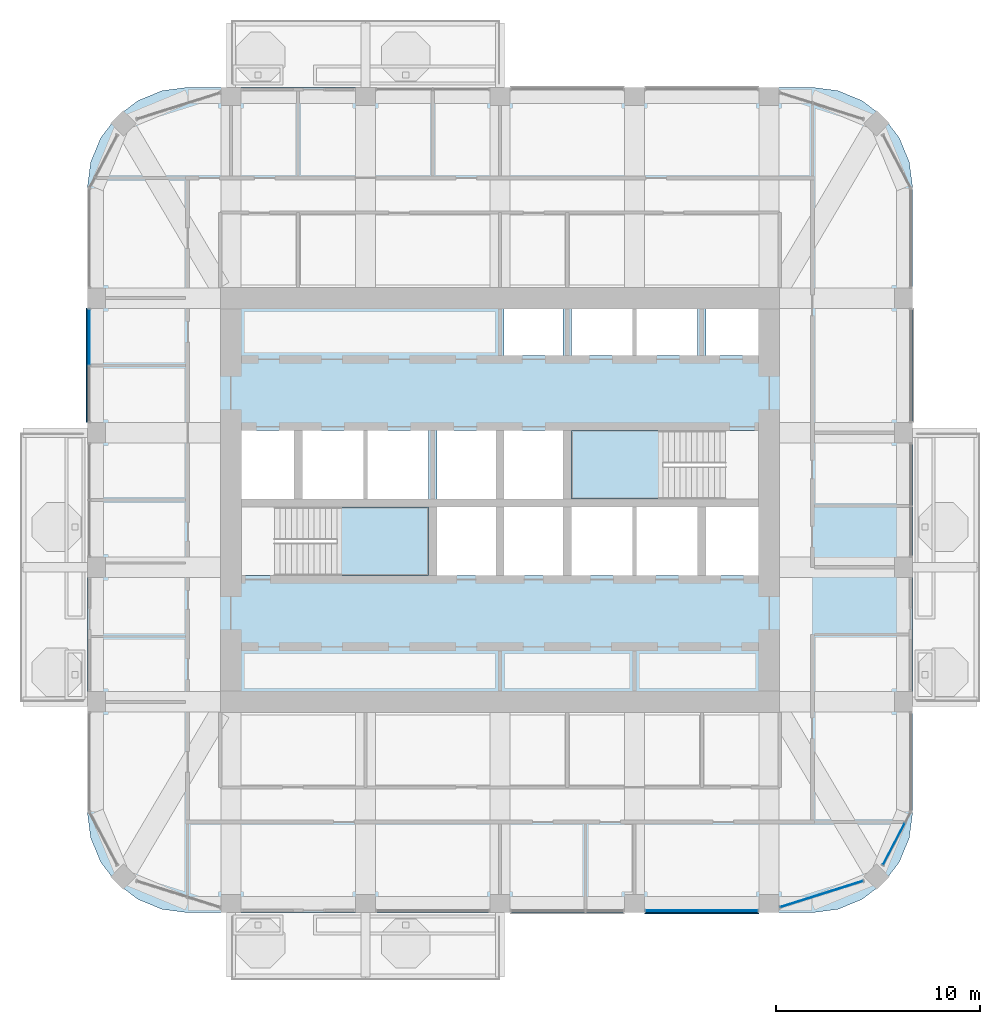
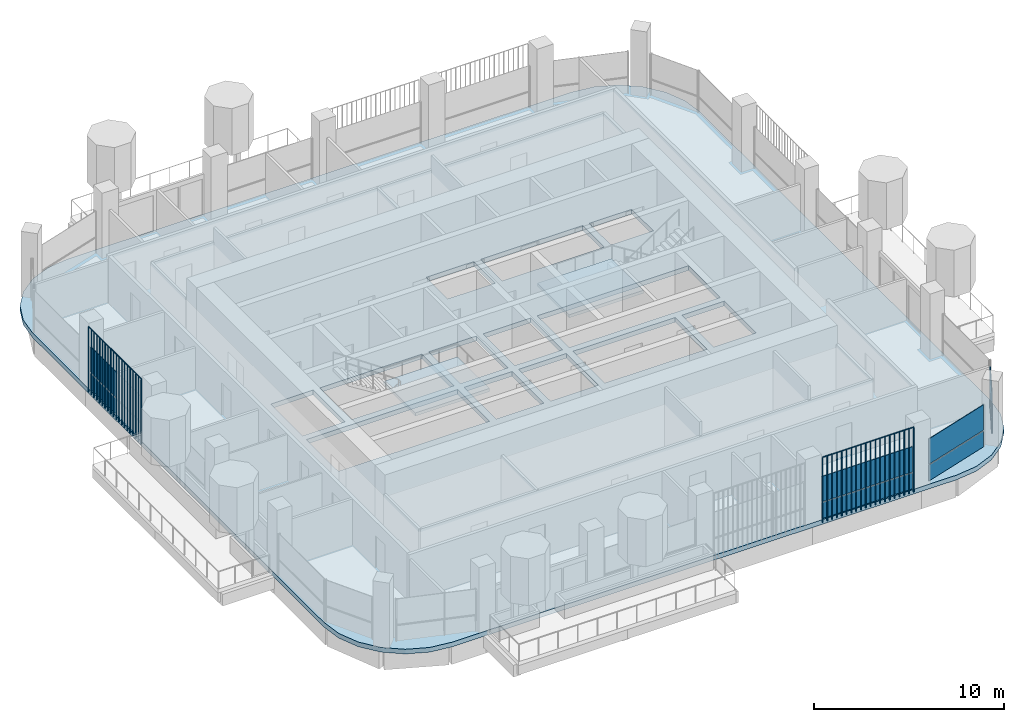
# One storey, part 8 of 18: 10 plates, 3 slabs, 6 elements without a shape of their own.
"""IFC4 building model written with IfcOpenShell, lengths in metres."""

from ifc_helpers import new_model, si_unit, direction, frame, origin, origin_2d, place, context, subcontext, project, spatial, polyline, rectangle, outline, extrude, material, layer, layer_set, type_object, element, aggregate, save


model = new_model("IFC4")

# Units and contexts
model_context = context("Model", 3, precision=1e-05, world=origin(), true_north=direction((0.0, 1.0)))
body_context = subcontext(model_context, "Body", "Model", "MODEL_VIEW")
ifc_project = project(units=[si_unit("LENGTHUNIT", "METRE"), si_unit("AREAUNIT", "SQUARE_METRE"), si_unit("VOLUMEUNIT", "CUBIC_METRE"), si_unit("PLANEANGLEUNIT", "RADIAN"), si_unit("MASSUNIT", "GRAM", prefix="KILO")], contexts=[model_context])

# Site, building, storey
site_placement = place(None, origin())
site = spatial("IfcSite", under=ifc_project, at=site_placement, CompositionType="ELEMENT")
building_placement = place(site_placement, origin())
building = spatial("IfcBuilding", under=site, at=building_placement, Name="Cobogo Forest Laboratory Tower", CompositionType="ELEMENT")
storey_placement = place(building_placement, frame((0.0, 0.0, 271.199951171875)))
storey = spatial("IfcBuildingStorey", under=building, at=storey_placement, Name="L62", CompositionType="ELEMENT", Elevation=271.199951171875)

# Slab
ifc_material_1 = material(Name="Concrete HA-40 (C40/50)", Category="concrete")
ifc_layer_1 = layer(ifc_material_1, 0.300048828125)
ifc_layer_set_1 = layer_set([ifc_layer_1], Name="Floor slab 300")
slab_type_1 = type_object("IfcSlabType", Name="Floor slab 300", PredefinedType="FLOOR", material=ifc_layer_set_1)
slab_1_placement = place(storey_placement, frame((0.0, 0.0, -0.300048828125)))
element("IfcSlab", 1, at=slab_1_placement, inside=storey, type_object=slab_type_1, Name="L62 floor slab", PredefinedType="FLOOR", context=body_context, shape_type="SweptSolid", body=[
    extrude(outline(polyline([(41.699951171875, 2.85009765625), (42.981201171875, 3.0185546875), (44.175048828125, 3.51318359375), (45.2001953125, 4.2998046875), (45.98681640625, 5.324951171875), (46.4814453125, 6.518798828125), (46.64990234375, 7.800048828125), (46.64990234375, 38.39990234375), (46.4814453125, 39.68115234375), (45.98681640625, 40.875), (45.2001953125, 41.900146484375), (44.175048828125, 42.686767578125), (42.981201171875, 43.181396484375), (41.699951171875, 43.35009765625), (11.10009765625, 43.35009765625), (9.81884765625, 43.181396484375), (8.625, 42.686767578125), (7.599853515625, 41.900146484375), (6.813232421875, 40.875), (6.318603515625, 39.68115234375), (6.14990234375, 38.39990234375), (6.14990234375, 7.800048828125), (6.318603515625, 6.518798828125), (6.813232421875, 5.324951171875), (7.599853515625, 4.2998046875), (8.625, 3.51318359375), (9.81884765625, 3.0185546875), (11.10009765625, 2.85009765625), (41.699951171875, 2.85009765625)]), holes=[polyline([(22.89990234375, 19.39990234375), (13.72509765625, 19.39990234375), (13.72509765625, 22.75), (22.89990234375, 22.75), (22.89990234375, 19.39990234375)]), polyline([(26.199951171875, 19.39990234375), (23.300048828125, 19.39990234375), (23.300048828125, 22.75), (26.199951171875, 22.75), (26.199951171875, 19.39990234375)]), polyline([(29.5, 19.39990234375), (26.60009765625, 19.39990234375), (26.60009765625, 22.75), (29.5, 22.75), (29.5, 19.39990234375)]), polyline([(36.10009765625, 22.75), (36.10009765625, 19.39990234375), (29.89990234375, 19.39990234375), (29.89990234375, 22.75), (36.10009765625, 22.75)]), polyline([(39.074951171875, 19.39990234375), (36.5, 19.39990234375), (36.5, 22.75), (39.074951171875, 22.75), (39.074951171875, 19.39990234375)]), polyline([(16.300048828125, 23.14990234375), (13.72509765625, 23.14990234375), (13.72509765625, 26.5), (16.300048828125, 26.5), (16.300048828125, 23.14990234375)]), polyline([(22.89990234375, 26.5), (22.89990234375, 23.14990234375), (16.699951171875, 23.14990234375), (16.699951171875, 26.5), (22.89990234375, 26.5)]), polyline([(26.199951171875, 23.14990234375), (23.300048828125, 23.14990234375), (23.300048828125, 26.5), (26.199951171875, 26.5), (26.199951171875, 23.14990234375)]), polyline([(29.5, 23.14990234375), (26.60009765625, 23.14990234375), (26.60009765625, 26.5), (29.5, 26.5), (29.5, 23.14990234375)]), polyline([(39.074951171875, 23.14990234375), (29.89990234375, 23.14990234375), (29.89990234375, 26.5), (39.074951171875, 26.5), (39.074951171875, 23.14990234375)]), polyline([(29.5, 30.199951171875), (26.60009765625, 30.199951171875), (26.60009765625, 32.47509765625), (29.5, 32.47509765625), (29.5, 30.199951171875)]), polyline([(36.10009765625, 32.47509765625), (36.10009765625, 30.199951171875), (29.89990234375, 30.199951171875), (29.89990234375, 32.47509765625), (36.10009765625, 32.47509765625)]), polyline([(39.074951171875, 30.199951171875), (36.5, 30.199951171875), (36.5, 32.47509765625), (39.074951171875, 32.47509765625), (39.074951171875, 30.199951171875)])]), origin(), (0.0, 0.0, 1.0), 0.300048828125),
])

# Curtain wall, plates
ifc_material_2 = material(Name="Aluminium curtain wall", Category="aluminium")
curtain_wall_type = type_object("IfcCurtainWallType", Name="CW-2 unitised curtain wall, solar control glazing, laboratory floors zones C and D", PredefinedType="USERDEFINED", material=ifc_material_2)
curtain_wall_1_placement = place(storey_placement, origin())
curtain_wall_1 = element("IfcCurtainWall", 2, at=curtain_wall_1_placement, inside=storey, type_object=curtain_wall_type, Name="Curtain wall 04 L62", ObjectType="UNITISED CURTAIN WALL", PredefinedType="USERDEFINED")
ifc_material_3 = material(Name="Solar control insulated glass", Category="glass")
ifc_layer_2 = layer(ifc_material_3, 0.031982421875)
ifc_layer_set_2 = layer_set([ifc_layer_2], Name="GP-2 solar control glass unit 32")
plate_type_1 = type_object("IfcPlateType", Name="GP-2 solar control glass unit 32", PredefinedType="CURTAIN_PANEL", material=ifc_layer_set_2)
plate_1_placement = place(storey_placement, frame((36.300048828125, 2.949951171875, 0.0), z_axis=(0.0, 0.0, 1.0), x_axis=(1.0, 0.0, 0.0)))
plate_1 = element("IfcPlate", 3, at=plate_1_placement, type_object=plate_type_1, Name="CW-2 panel 1.1", PredefinedType="CURTAIN_PANEL", context=body_context, shape_type="SweptSolid", body=[
    extrude(rectangle(XDim=5.47998046875, YDim=0.031982421875, at=origin_2d()), origin(), (0.0, 0.0, 1.0), 1.02001953125),
])
plate_2_placement = place(storey_placement, frame((36.300048828125, 2.949951171875, 1.080078125), z_axis=(0.0, 0.0, 1.0), x_axis=(1.0, 0.0, 0.0)))
plate_2 = element("IfcPlate", 4, at=plate_2_placement, type_object=plate_type_1, Name="CW-2 panel 1.2", PredefinedType="CURTAIN_PANEL", context=body_context, shape_type="SweptSolid", body=[
    extrude(rectangle(XDim=5.47998046875, YDim=0.031982421875, at=origin_2d()), origin(), (0.0, 0.0, 1.0), 1.6201171875),
])
aggregate(curtain_wall_1, [plate_1, plate_2])

curtain_wall_2_placement = place(storey_placement, origin())
curtain_wall_2 = element("IfcCurtainWall", 5, at=curtain_wall_2_placement, inside=storey, type_object=curtain_wall_type, Name="Curtain wall 05 L62", ObjectType="UNITISED CURTAIN WALL", PredefinedType="USERDEFINED")
plate_3_placement = place(storey_placement, frame((42.17919921875, 3.7646484375, 0.0), z_axis=(0.0, 0.0, 1.0), x_axis=(0.953581379409, 0.301135439371, 0.0)))
plate_3 = element("IfcPlate", 6, at=plate_3_placement, type_object=plate_type_1, Name="CW-2 panel 1.1", PredefinedType="CURTAIN_PANEL", context=body_context, shape_type="SweptSolid", body=[
    extrude(rectangle(XDim=4.240966796875, YDim=0.031982421875, at=origin_2d()), origin(), (0.0, 0.0, 1.0), 1.02001953125),
])
plate_4_placement = place(storey_placement, frame((42.17919921875, 3.7646484375, 1.080078125), z_axis=(0.0, 0.0, 1.0), x_axis=(0.953581379409, 0.301135439371, 0.0)))
plate_4 = element("IfcPlate", 7, at=plate_4_placement, type_object=plate_type_1, Name="CW-2 panel 1.2", PredefinedType="CURTAIN_PANEL", context=body_context, shape_type="SweptSolid", body=[
    extrude(rectangle(XDim=4.240966796875, YDim=0.031982421875, at=origin_2d()), origin(), (0.0, 0.0, 1.0), 1.6201171875),
])
aggregate(curtain_wall_2, [plate_3, plate_4])

curtain_wall_3_placement = place(storey_placement, origin())
curtain_wall_3 = element("IfcCurtainWall", 8, at=curtain_wall_3_placement, inside=storey, type_object=curtain_wall_type, Name="Curtain wall 06 L62", ObjectType="UNITISED CURTAIN WALL", PredefinedType="USERDEFINED")
plate_5_placement = place(storey_placement, frame((45.72314453125, 6.222900390625, 0.0), z_axis=(0.0, 0.0, 1.0), x_axis=(0.464283778337, 0.885686498245, 0.0)))
plate_5 = element("IfcPlate", 9, at=plate_5_placement, type_object=plate_type_1, Name="CW-2 panel 1.1", PredefinedType="CURTAIN_PANEL", context=body_context, shape_type="SweptSolid", body=[
    extrude(rectangle(XDim=2.28857421875, YDim=0.031982421875, at=origin_2d()), origin(), (0.0, 0.0, 1.0), 1.02001953125),
])
plate_6_placement = place(storey_placement, frame((45.72314453125, 6.222900390625, 1.080078125), z_axis=(0.0, 0.0, 1.0), x_axis=(0.464283778337, 0.885686498245, 0.0)))
plate_6 = element("IfcPlate", 10, at=plate_6_placement, type_object=plate_type_1, Name="CW-2 panel 1.2", PredefinedType="CURTAIN_PANEL", context=body_context, shape_type="SweptSolid", body=[
    extrude(rectangle(XDim=2.28857421875, YDim=0.031982421875, at=origin_2d()), origin(), (0.0, 0.0, 1.0), 1.6201171875),
])
aggregate(curtain_wall_3, [plate_5, plate_6])

curtain_wall_4_placement = place(storey_placement, origin())
curtain_wall_4 = element("IfcCurtainWall", 11, at=curtain_wall_4_placement, inside=storey, type_object=curtain_wall_type, Name="Curtain wall 21 L62", ObjectType="UNITISED CURTAIN WALL", PredefinedType="USERDEFINED")
plate_7_placement = place(storey_placement, frame((6.25, 31.0849609375, 0.0), z_axis=(0.0, 0.0, 1.0), x_axis=(0.0, -1.0, 0.0)))
plate_7 = element("IfcPlate", 12, at=plate_7_placement, type_object=plate_type_1, Name="CW-2 panel 1.1", PredefinedType="CURTAIN_PANEL", context=body_context, shape_type="SweptSolid", body=[
    extrude(rectangle(XDim=2.7099609375, YDim=0.031982421875, at=origin_2d()), origin(), (0.0, 0.0, 1.0), 1.02001953125),
])
plate_8_placement = place(storey_placement, frame((6.25, 31.0849609375, 1.080078125), z_axis=(0.0, 0.0, 1.0), x_axis=(0.0, -1.0, 0.0)))
plate_8 = element("IfcPlate", 13, at=plate_8_placement, type_object=plate_type_1, Name="CW-2 panel 1.2", PredefinedType="CURTAIN_PANEL", context=body_context, shape_type="SweptSolid", body=[
    extrude(rectangle(XDim=2.7099609375, YDim=0.031982421875, at=origin_2d()), origin(), (0.0, 0.0, 1.0), 1.6201171875),
])
aggregate(curtain_wall_4, [plate_7, plate_8])

# Stair, slab
ifc_material_4 = material(Name="Precast concrete HA-40 (C40/50)", Category="concrete")
stair_type = type_object("IfcStairType", Name="ST24 exit stair 24 risers", PredefinedType="HALF_TURN_STAIR", material=ifc_material_4)
stair_1_placement = place(storey_placement, origin())
stair_1 = element("IfcStair", 14, at=stair_1_placement, inside=storey, type_object=stair_type, Name="Stair 1 L62 to L63", PredefinedType="HALF_TURN_STAIR")
ifc_layer_3 = layer(ifc_material_1, 0.199951171875)
ifc_layer_set_3 = layer_set([ifc_layer_3], Name="SL stair landing 200")
slab_type_2 = type_object("IfcSlabType", Name="SL stair landing 200", PredefinedType="LANDING", material=ifc_layer_set_3)
slab_2_placement = place(storey_placement, frame((0.0, 0.0, 1.900146484375)))
slab_2 = element("IfcSlab", 15, at=slab_2_placement, type_object=slab_type_2, Name="ST1 landing 2", PredefinedType="LANDING", context=body_context, shape_type="SweptSolid", body=[
    extrude(outline(polyline([(18.403076171875, 19.39990234375), (22.89990234375, 19.39990234375), (22.89990234375, 22.75), (18.403076171875, 22.75), (18.403076171875, 19.39990234375)])), origin(), (0.0, 0.0, 1.0), 0.199951171875),
])
aggregate(stair_1, [slab_2])

stair_2_placement = place(storey_placement, origin())
stair_2 = element("IfcStair", 16, at=stair_2_placement, inside=storey, type_object=stair_type, Name="Stair 2 L62 to L63", PredefinedType="HALF_TURN_STAIR")
slab_3_placement = place(storey_placement, frame((0.0, 0.0, 1.900146484375)))
slab_3 = element("IfcSlab", 17, at=slab_3_placement, type_object=slab_type_2, Name="ST2 landing 2", PredefinedType="LANDING", context=body_context, shape_type="SweptSolid", body=[
    extrude(outline(polyline([(29.89990234375, 23.14990234375), (34.39697265625, 23.14990234375), (34.39697265625, 26.5), (29.89990234375, 26.5), (29.89990234375, 23.14990234375)])), origin(), (0.0, 0.0, 1.0), 0.199951171875),
])
aggregate(stair_2, [slab_3])

# Plates
ifc_material_5 = material(Name="Terracotta", Category="masonry")
plate_type_2 = type_object("IfcPlateType", Name="TB1 terracotta baguette screen", PredefinedType="USERDEFINED", material=ifc_material_5)
plate_9_placement = place(storey_placement, frame((33.53125, 2.822021484375, -0.14990234375)))
element("IfcPlate", 18, at=plate_9_placement, inside=storey, type_object=plate_type_2, Name="Baguette screen S4 L62", ObjectType="BAGUETTE SCREEN", PredefinedType="USERDEFINED", context=body_context, shape_type="SweptSolid", body=[
    extrude(outline(polyline([(0.02880859375, 0.011962890625), (0.011962890625, 0.02880859375), (-0.011962890625, 0.02880859375), (-0.02880859375, 0.011962890625), (-0.02880859375, -0.011962890625), (-0.011962890625, -0.02880859375), (0.011962890625, -0.02880859375), (0.02880859375, -0.011962890625), (0.02880859375, 0.011962890625)])), frame((0.0, 0.0, 4.168701171875), z_axis=(1.0, 0.0, 0.0), x_axis=(0.0, 1.0, 0.0)), (0.0, 0.0, 1.0), 5.53759765625),
    extrude(outline(polyline([(0.02880859375, 0.011962890625), (0.011962890625, 0.02880859375), (-0.011962890625, 0.02880859375), (-0.02880859375, 0.011962890625), (-0.02880859375, -0.011962890625), (-0.011962890625, -0.02880859375), (0.011962890625, -0.02880859375), (0.02880859375, -0.011962890625), (0.02880859375, 0.011962890625)])), origin(), (0.0, 0.0, 1.0), 4.137451171875),
    extrude(outline(polyline([(0.02880859375, 0.011962890625), (0.011962890625, 0.02880859375), (-0.011962890625, 0.02880859375), (-0.02880859375, 0.011962890625), (-0.02880859375, -0.011962890625), (-0.011962890625, -0.02880859375), (0.011962890625, -0.02880859375), (0.02880859375, -0.011962890625), (0.02880859375, 0.011962890625)])), frame((0.29150390625, 0.0, 0.0)), (0.0, 0.0, 1.0), 4.137451171875),
    extrude(outline(polyline([(0.02880859375, 0.011962890625), (0.011962890625, 0.02880859375), (-0.011962890625, 0.02880859375), (-0.02880859375, 0.011962890625), (-0.02880859375, -0.011962890625), (-0.011962890625, -0.02880859375), (0.011962890625, -0.02880859375), (0.02880859375, -0.011962890625), (0.02880859375, 0.011962890625)])), frame((0.5830078125, 0.0, 0.0)), (0.0, 0.0, 1.0), 4.137451171875),
    extrude(outline(polyline([(0.02880859375, 0.011962890625), (0.011962890625, 0.02880859375), (-0.011962890625, 0.02880859375), (-0.02880859375, 0.011962890625), (-0.02880859375, -0.011962890625), (-0.011962890625, -0.02880859375), (0.011962890625, -0.02880859375), (0.02880859375, -0.011962890625), (0.02880859375, 0.011962890625)])), frame((0.874267578125, 0.0, 0.0)), (0.0, 0.0, 1.0), 4.137451171875),
    extrude(outline(polyline([(0.02880859375, 0.011962890625), (0.011962890625, 0.02880859375), (-0.011962890625, 0.02880859375), (-0.02880859375, 0.011962890625), (-0.02880859375, -0.011962890625), (-0.011962890625, -0.02880859375), (0.011962890625, -0.02880859375), (0.02880859375, -0.011962890625), (0.02880859375, 0.011962890625)])), frame((1.165771484375, 0.0, 0.0)), (0.0, 0.0, 1.0), 4.137451171875),
    extrude(outline(polyline([(0.02880859375, 0.011962890625), (0.011962890625, 0.02880859375), (-0.011962890625, 0.02880859375), (-0.02880859375, 0.011962890625), (-0.02880859375, -0.011962890625), (-0.011962890625, -0.02880859375), (0.011962890625, -0.02880859375), (0.02880859375, -0.011962890625), (0.02880859375, 0.011962890625)])), frame((1.457275390625, 0.0, 0.0)), (0.0, 0.0, 1.0), 4.137451171875),
    extrude(outline(polyline([(0.02880859375, 0.011962890625), (0.011962890625, 0.02880859375), (-0.011962890625, 0.02880859375), (-0.02880859375, 0.011962890625), (-0.02880859375, -0.011962890625), (-0.011962890625, -0.02880859375), (0.011962890625, -0.02880859375), (0.02880859375, -0.011962890625), (0.02880859375, 0.011962890625)])), frame((1.748779296875, 0.0, 0.0)), (0.0, 0.0, 1.0), 4.137451171875),
    extrude(outline(polyline([(0.02880859375, 0.011962890625), (0.011962890625, 0.02880859375), (-0.011962890625, 0.02880859375), (-0.02880859375, 0.011962890625), (-0.02880859375, -0.011962890625), (-0.011962890625, -0.02880859375), (0.011962890625, -0.02880859375), (0.02880859375, -0.011962890625), (0.02880859375, 0.011962890625)])), frame((2.040283203125, 0.0, 0.0)), (0.0, 0.0, 1.0), 4.137451171875),
    extrude(outline(polyline([(0.02880859375, 0.011962890625), (0.011962890625, 0.02880859375), (-0.011962890625, 0.02880859375), (-0.02880859375, 0.011962890625), (-0.02880859375, -0.011962890625), (-0.011962890625, -0.02880859375), (0.011962890625, -0.02880859375), (0.02880859375, -0.011962890625), (0.02880859375, 0.011962890625)])), frame((2.33154296875, 0.0, 0.0)), (0.0, 0.0, 1.0), 4.137451171875),
    extrude(outline(polyline([(0.02880859375, 0.011962890625), (0.011962890625, 0.02880859375), (-0.011962890625, 0.02880859375), (-0.02880859375, 0.011962890625), (-0.02880859375, -0.011962890625), (-0.011962890625, -0.02880859375), (0.011962890625, -0.02880859375), (0.02880859375, -0.011962890625), (0.02880859375, 0.011962890625)])), frame((2.623046875, 0.0, 0.0)), (0.0, 0.0, 1.0), 4.137451171875),
    extrude(outline(polyline([(0.02880859375, 0.011962890625), (0.011962890625, 0.02880859375), (-0.011962890625, 0.02880859375), (-0.02880859375, 0.011962890625), (-0.02880859375, -0.011962890625), (-0.011962890625, -0.02880859375), (0.011962890625, -0.02880859375), (0.02880859375, -0.011962890625), (0.02880859375, 0.011962890625)])), frame((2.91455078125, 0.0, 0.0)), (0.0, 0.0, 1.0), 4.137451171875),
    extrude(outline(polyline([(0.02880859375, 0.011962890625), (0.011962890625, 0.02880859375), (-0.011962890625, 0.02880859375), (-0.02880859375, 0.011962890625), (-0.02880859375, -0.011962890625), (-0.011962890625, -0.02880859375), (0.011962890625, -0.02880859375), (0.02880859375, -0.011962890625), (0.02880859375, 0.011962890625)])), frame((3.2060546875, 0.0, 0.0)), (0.0, 0.0, 1.0), 4.137451171875),
    extrude(outline(polyline([(0.02880859375, 0.011962890625), (0.011962890625, 0.02880859375), (-0.011962890625, 0.02880859375), (-0.02880859375, 0.011962890625), (-0.02880859375, -0.011962890625), (-0.011962890625, -0.02880859375), (0.011962890625, -0.02880859375), (0.02880859375, -0.011962890625), (0.02880859375, 0.011962890625)])), frame((3.497314453125, 0.0, 0.0)), (0.0, 0.0, 1.0), 4.137451171875),
    extrude(outline(polyline([(0.02880859375, 0.011962890625), (0.011962890625, 0.02880859375), (-0.011962890625, 0.02880859375), (-0.02880859375, 0.011962890625), (-0.02880859375, -0.011962890625), (-0.011962890625, -0.02880859375), (0.011962890625, -0.02880859375), (0.02880859375, -0.011962890625), (0.02880859375, 0.011962890625)])), frame((3.788818359375, 0.0, 0.0)), (0.0, 0.0, 1.0), 4.137451171875),
    extrude(outline(polyline([(0.02880859375, 0.011962890625), (0.011962890625, 0.02880859375), (-0.011962890625, 0.02880859375), (-0.02880859375, 0.011962890625), (-0.02880859375, -0.011962890625), (-0.011962890625, -0.02880859375), (0.011962890625, -0.02880859375), (0.02880859375, -0.011962890625), (0.02880859375, 0.011962890625)])), frame((4.080322265625, 0.0, 0.0)), (0.0, 0.0, 1.0), 4.137451171875),
    extrude(outline(polyline([(0.02880859375, 0.011962890625), (0.011962890625, 0.02880859375), (-0.011962890625, 0.02880859375), (-0.02880859375, 0.011962890625), (-0.02880859375, -0.011962890625), (-0.011962890625, -0.02880859375), (0.011962890625, -0.02880859375), (0.02880859375, -0.011962890625), (0.02880859375, 0.011962890625)])), frame((4.371826171875, 0.0, 0.0)), (0.0, 0.0, 1.0), 4.137451171875),
    extrude(outline(polyline([(0.02880859375, 0.011962890625), (0.011962890625, 0.02880859375), (-0.011962890625, 0.02880859375), (-0.02880859375, 0.011962890625), (-0.02880859375, -0.011962890625), (-0.011962890625, -0.02880859375), (0.011962890625, -0.02880859375), (0.02880859375, -0.011962890625), (0.02880859375, 0.011962890625)])), frame((4.663330078125, 0.0, 0.0)), (0.0, 0.0, 1.0), 4.137451171875),
    extrude(outline(polyline([(0.02880859375, 0.011962890625), (0.011962890625, 0.02880859375), (-0.011962890625, 0.02880859375), (-0.02880859375, 0.011962890625), (-0.02880859375, -0.011962890625), (-0.011962890625, -0.02880859375), (0.011962890625, -0.02880859375), (0.02880859375, -0.011962890625), (0.02880859375, 0.011962890625)])), frame((4.95458984375, 0.0, 0.0)), (0.0, 0.0, 1.0), 4.137451171875),
    extrude(outline(polyline([(0.02880859375, 0.011962890625), (0.011962890625, 0.02880859375), (-0.011962890625, 0.02880859375), (-0.02880859375, 0.011962890625), (-0.02880859375, -0.011962890625), (-0.011962890625, -0.02880859375), (0.011962890625, -0.02880859375), (0.02880859375, -0.011962890625), (0.02880859375, 0.011962890625)])), frame((5.24609375, 0.0, 0.0)), (0.0, 0.0, 1.0), 4.137451171875),
    extrude(outline(polyline([(0.02880859375, 0.011962890625), (0.011962890625, 0.02880859375), (-0.011962890625, 0.02880859375), (-0.02880859375, 0.011962890625), (-0.02880859375, -0.011962890625), (-0.011962890625, -0.02880859375), (0.011962890625, -0.02880859375), (0.02880859375, -0.011962890625), (0.02880859375, 0.011962890625)])), frame((5.53759765625, 0.0, 0.0)), (0.0, 0.0, 1.0), 4.137451171875),
])
plate_10_placement = place(storey_placement, frame((6.1220703125, 26.93115234375, -0.14990234375)))
element("IfcPlate", 19, at=plate_10_placement, inside=storey, type_object=plate_type_2, Name="Baguette screen W3 L62", ObjectType="BAGUETTE SCREEN", PredefinedType="USERDEFINED", context=body_context, shape_type="SweptSolid", body=[
    extrude(outline(polyline([(0.02880859375, 0.011962890625), (0.011962890625, 0.02880859375), (-0.011962890625, 0.02880859375), (-0.02880859375, 0.011962890625), (-0.02880859375, -0.011962890625), (-0.011962890625, -0.02880859375), (0.011962890625, -0.02880859375), (0.02880859375, -0.011962890625), (0.02880859375, 0.011962890625)])), frame((0.0, 0.0, 4.168701171875), z_axis=(0.0, 1.0, 0.0), x_axis=(-1.0, 0.0, 0.0)), (0.0, 0.0, 1.0), 5.53759765625),
    extrude(outline(polyline([(0.02880859375, 0.011962890625), (0.011962890625, 0.02880859375), (-0.011962890625, 0.02880859375), (-0.02880859375, 0.011962890625), (-0.02880859375, -0.011962890625), (-0.011962890625, -0.02880859375), (0.011962890625, -0.02880859375), (0.02880859375, -0.011962890625), (0.02880859375, 0.011962890625)])), origin(), (0.0, 0.0, 1.0), 4.137451171875),
    extrude(outline(polyline([(0.02880859375, 0.011962890625), (0.011962890625, 0.02880859375), (-0.011962890625, 0.02880859375), (-0.02880859375, 0.011962890625), (-0.02880859375, -0.011962890625), (-0.011962890625, -0.02880859375), (0.011962890625, -0.02880859375), (0.02880859375, -0.011962890625), (0.02880859375, 0.011962890625)])), frame((0.0, 0.29150390625, 0.0)), (0.0, 0.0, 1.0), 4.137451171875),
    extrude(outline(polyline([(0.02880859375, 0.011962890625), (0.011962890625, 0.02880859375), (-0.011962890625, 0.02880859375), (-0.02880859375, 0.011962890625), (-0.02880859375, -0.011962890625), (-0.011962890625, -0.02880859375), (0.011962890625, -0.02880859375), (0.02880859375, -0.011962890625), (0.02880859375, 0.011962890625)])), frame((0.0, 0.5830078125, 0.0)), (0.0, 0.0, 1.0), 4.137451171875),
    extrude(outline(polyline([(0.02880859375, 0.011962890625), (0.011962890625, 0.02880859375), (-0.011962890625, 0.02880859375), (-0.02880859375, 0.011962890625), (-0.02880859375, -0.011962890625), (-0.011962890625, -0.02880859375), (0.011962890625, -0.02880859375), (0.02880859375, -0.011962890625), (0.02880859375, 0.011962890625)])), frame((0.0, 0.874267578125, 0.0)), (0.0, 0.0, 1.0), 4.137451171875),
    extrude(outline(polyline([(0.02880859375, 0.011962890625), (0.011962890625, 0.02880859375), (-0.011962890625, 0.02880859375), (-0.02880859375, 0.011962890625), (-0.02880859375, -0.011962890625), (-0.011962890625, -0.02880859375), (0.011962890625, -0.02880859375), (0.02880859375, -0.011962890625), (0.02880859375, 0.011962890625)])), frame((0.0, 1.165771484375, 0.0)), (0.0, 0.0, 1.0), 4.137451171875),
    extrude(outline(polyline([(0.02880859375, 0.011962890625), (0.011962890625, 0.02880859375), (-0.011962890625, 0.02880859375), (-0.02880859375, 0.011962890625), (-0.02880859375, -0.011962890625), (-0.011962890625, -0.02880859375), (0.011962890625, -0.02880859375), (0.02880859375, -0.011962890625), (0.02880859375, 0.011962890625)])), frame((0.0, 1.457275390625, 0.0)), (0.0, 0.0, 1.0), 4.137451171875),
    extrude(outline(polyline([(0.02880859375, 0.011962890625), (0.011962890625, 0.02880859375), (-0.011962890625, 0.02880859375), (-0.02880859375, 0.011962890625), (-0.02880859375, -0.011962890625), (-0.011962890625, -0.02880859375), (0.011962890625, -0.02880859375), (0.02880859375, -0.011962890625), (0.02880859375, 0.011962890625)])), frame((0.0, 1.748779296875, 0.0)), (0.0, 0.0, 1.0), 4.137451171875),
    extrude(outline(polyline([(0.02880859375, 0.011962890625), (0.011962890625, 0.02880859375), (-0.011962890625, 0.02880859375), (-0.02880859375, 0.011962890625), (-0.02880859375, -0.011962890625), (-0.011962890625, -0.02880859375), (0.011962890625, -0.02880859375), (0.02880859375, -0.011962890625), (0.02880859375, 0.011962890625)])), frame((0.0, 2.040283203125, 0.0)), (0.0, 0.0, 1.0), 4.137451171875),
    extrude(outline(polyline([(0.02880859375, 0.011962890625), (0.011962890625, 0.02880859375), (-0.011962890625, 0.02880859375), (-0.02880859375, 0.011962890625), (-0.02880859375, -0.011962890625), (-0.011962890625, -0.02880859375), (0.011962890625, -0.02880859375), (0.02880859375, -0.011962890625), (0.02880859375, 0.011962890625)])), frame((0.0, 2.33154296875, 0.0)), (0.0, 0.0, 1.0), 4.137451171875),
    extrude(outline(polyline([(0.02880859375, 0.011962890625), (0.011962890625, 0.02880859375), (-0.011962890625, 0.02880859375), (-0.02880859375, 0.011962890625), (-0.02880859375, -0.011962890625), (-0.011962890625, -0.02880859375), (0.011962890625, -0.02880859375), (0.02880859375, -0.011962890625), (0.02880859375, 0.011962890625)])), frame((0.0, 2.623046875, 0.0)), (0.0, 0.0, 1.0), 4.137451171875),
    extrude(outline(polyline([(0.02880859375, 0.011962890625), (0.011962890625, 0.02880859375), (-0.011962890625, 0.02880859375), (-0.02880859375, 0.011962890625), (-0.02880859375, -0.011962890625), (-0.011962890625, -0.02880859375), (0.011962890625, -0.02880859375), (0.02880859375, -0.011962890625), (0.02880859375, 0.011962890625)])), frame((0.0, 2.91455078125, 0.0)), (0.0, 0.0, 1.0), 4.137451171875),
    extrude(outline(polyline([(0.02880859375, 0.011962890625), (0.011962890625, 0.02880859375), (-0.011962890625, 0.02880859375), (-0.02880859375, 0.011962890625), (-0.02880859375, -0.011962890625), (-0.011962890625, -0.02880859375), (0.011962890625, -0.02880859375), (0.02880859375, -0.011962890625), (0.02880859375, 0.011962890625)])), frame((0.0, 3.2060546875, 0.0)), (0.0, 0.0, 1.0), 4.137451171875),
    extrude(outline(polyline([(0.02880859375, 0.011962890625), (0.011962890625, 0.02880859375), (-0.011962890625, 0.02880859375), (-0.02880859375, 0.011962890625), (-0.02880859375, -0.011962890625), (-0.011962890625, -0.02880859375), (0.011962890625, -0.02880859375), (0.02880859375, -0.011962890625), (0.02880859375, 0.011962890625)])), frame((0.0, 3.497314453125, 0.0)), (0.0, 0.0, 1.0), 4.137451171875),
    extrude(outline(polyline([(0.02880859375, 0.011962890625), (0.011962890625, 0.02880859375), (-0.011962890625, 0.02880859375), (-0.02880859375, 0.011962890625), (-0.02880859375, -0.011962890625), (-0.011962890625, -0.02880859375), (0.011962890625, -0.02880859375), (0.02880859375, -0.011962890625), (0.02880859375, 0.011962890625)])), frame((0.0, 3.788818359375, 0.0)), (0.0, 0.0, 1.0), 4.137451171875),
    extrude(outline(polyline([(0.02880859375, 0.011962890625), (0.011962890625, 0.02880859375), (-0.011962890625, 0.02880859375), (-0.02880859375, 0.011962890625), (-0.02880859375, -0.011962890625), (-0.011962890625, -0.02880859375), (0.011962890625, -0.02880859375), (0.02880859375, -0.011962890625), (0.02880859375, 0.011962890625)])), frame((0.0, 4.080322265625, 0.0)), (0.0, 0.0, 1.0), 4.137451171875),
    extrude(outline(polyline([(0.02880859375, 0.011962890625), (0.011962890625, 0.02880859375), (-0.011962890625, 0.02880859375), (-0.02880859375, 0.011962890625), (-0.02880859375, -0.011962890625), (-0.011962890625, -0.02880859375), (0.011962890625, -0.02880859375), (0.02880859375, -0.011962890625), (0.02880859375, 0.011962890625)])), frame((0.0, 4.371826171875, 0.0)), (0.0, 0.0, 1.0), 4.137451171875),
    extrude(outline(polyline([(0.02880859375, 0.011962890625), (0.011962890625, 0.02880859375), (-0.011962890625, 0.02880859375), (-0.02880859375, 0.011962890625), (-0.02880859375, -0.011962890625), (-0.011962890625, -0.02880859375), (0.011962890625, -0.02880859375), (0.02880859375, -0.011962890625), (0.02880859375, 0.011962890625)])), frame((0.0, 4.663330078125, 0.0)), (0.0, 0.0, 1.0), 4.137451171875),
    extrude(outline(polyline([(0.02880859375, 0.011962890625), (0.011962890625, 0.02880859375), (-0.011962890625, 0.02880859375), (-0.02880859375, 0.011962890625), (-0.02880859375, -0.011962890625), (-0.011962890625, -0.02880859375), (0.011962890625, -0.02880859375), (0.02880859375, -0.011962890625), (0.02880859375, 0.011962890625)])), frame((0.0, 4.95458984375, 0.0)), (0.0, 0.0, 1.0), 4.137451171875),
    extrude(outline(polyline([(0.02880859375, 0.011962890625), (0.011962890625, 0.02880859375), (-0.011962890625, 0.02880859375), (-0.02880859375, 0.011962890625), (-0.02880859375, -0.011962890625), (-0.011962890625, -0.02880859375), (0.011962890625, -0.02880859375), (0.02880859375, -0.011962890625), (0.02880859375, 0.011962890625)])), frame((0.0, 5.24609375, 0.0)), (0.0, 0.0, 1.0), 4.137451171875),
    extrude(outline(polyline([(0.02880859375, 0.011962890625), (0.011962890625, 0.02880859375), (-0.011962890625, 0.02880859375), (-0.02880859375, 0.011962890625), (-0.02880859375, -0.011962890625), (-0.011962890625, -0.02880859375), (0.011962890625, -0.02880859375), (0.02880859375, -0.011962890625), (0.02880859375, 0.011962890625)])), frame((0.0, 5.53759765625, 0.0)), (0.0, 0.0, 1.0), 4.137451171875),
])

save(model, "model.ifc")
